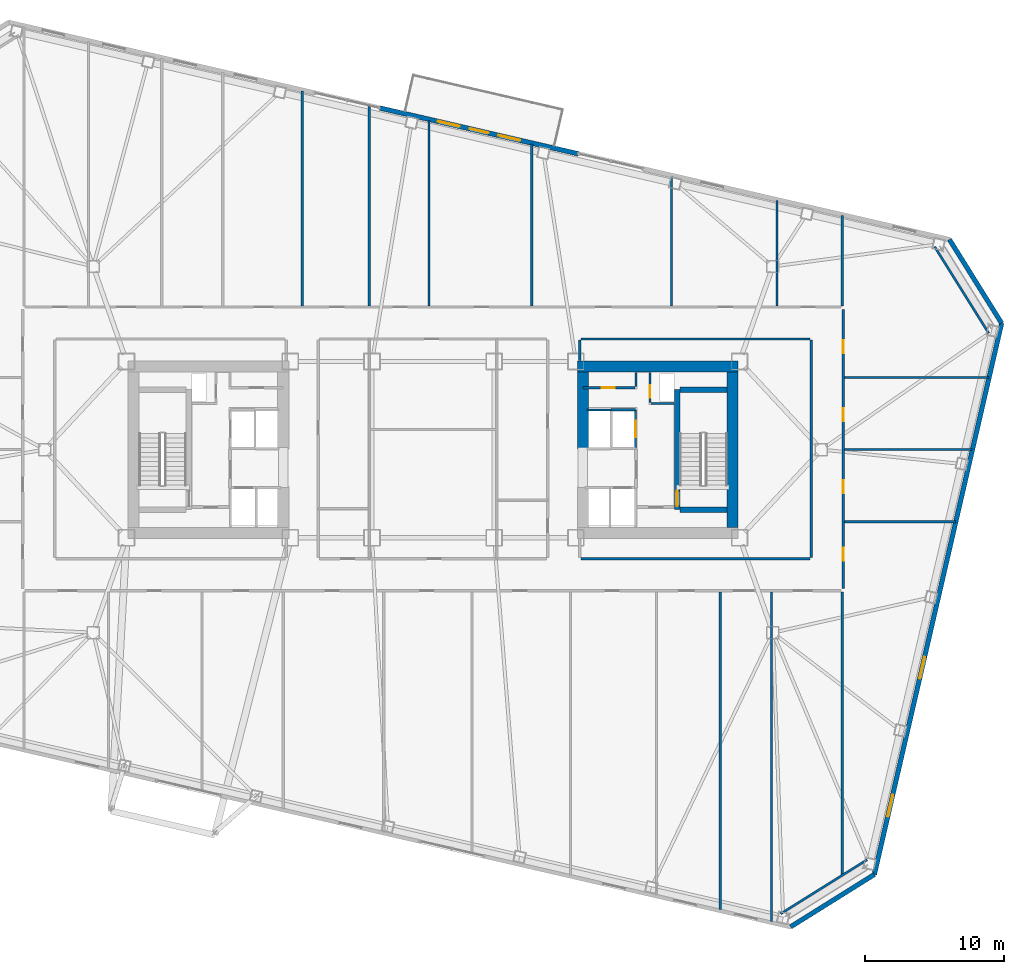
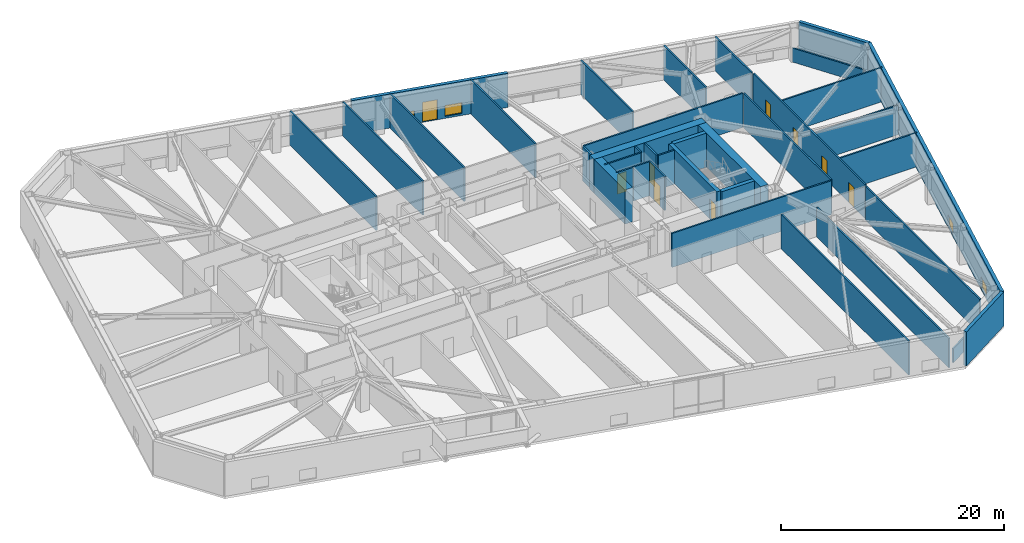
# One storey, part 13 of 20: 37 walls, 9 doors, 4 windows, 13 openings.
"""IFC4 building model written with IfcOpenShell, lengths in metres."""

from ifc_helpers import new_model, si_unit, direction, frame, frame_2d, origin, place, context, subcontext, project, spatial, rectangle, extrude, material, layer, layer_set, type_object, element, fill, save


model = new_model("IFC4")

# Units and contexts
model_context = context("Model", 3, precision=1e-05, world=origin(), true_north=direction((0.0, 1.0)))
body_context = subcontext(model_context, "Body", "Model", "MODEL_VIEW")
ifc_project = project(units=[si_unit("LENGTHUNIT", "METRE"), si_unit("AREAUNIT", "SQUARE_METRE"), si_unit("VOLUMEUNIT", "CUBIC_METRE"), si_unit("PLANEANGLEUNIT", "RADIAN"), si_unit("MASSUNIT", "GRAM", prefix="KILO")], contexts=[model_context])

# Site, building, storey
site_placement = place(None, origin())
site = spatial("IfcSite", under=ifc_project, at=site_placement, CompositionType="ELEMENT")
building_placement = place(site_placement, origin())
building = spatial("IfcBuilding", under=site, at=building_placement, Name="Tavrogorsk Clinical Tower", CompositionType="ELEMENT")
storey_placement = place(building_placement, frame((0.0, 0.0, 39.39990234375)))
storey = spatial("IfcBuildingStorey", under=building, at=storey_placement, Name="L07", CompositionType="ELEMENT", Elevation=39.39990234375)

# Wall, opening, door
ifc_material_1 = material(Name="Lightweight concrete blockwork B15", Category="masonry")
ifc_layer_1 = layer(ifc_material_1, 0.159912109375)
ifc_layer_set_1 = layer_set([ifc_layer_1], Name="Lightweight concrete blockwork B15")
wall_type_1 = type_object("IfcWallType", Name="PartitionWall_160", PredefinedType="PARTITIONING", material=ifc_layer_set_1)
wall_1_placement = place(storey_placement, frame((10.800048828125, 4.4599609375, 0.0), z_axis=(0.0, 0.0, 1.0), x_axis=(1.0, 0.0, 0.0)))
wall_1 = element("IfcWall", 1, at=wall_1_placement, inside=storey, type_object=wall_type_1, Name="L07 Core East Pneumatic Dispatch South Wall", PredefinedType="PARTITIONING", context=body_context, shape_type="SweptSolid", body=[
    extrude(rectangle(XDim=3.7548828125, YDim=0.159912109375, at=frame_2d((1.87744140625, 0.0))), origin(), (0.0, 0.0, 1.0), 3.739990234375),
])
opening_1_placement = place(wall_1_placement, frame((1.35009765625, 0.0, 0.0)))
opening_1 = element("IfcOpeningElement", 2, at=opening_1_placement, cuts=wall_1, Name="Opening ID-02", PredefinedType="OPENING", context=body_context, shape_type="SweptSolid", body=[
    extrude(rectangle(XDim=0.949951171875, YDim=2.199951171875, at=frame_2d((0.47509765625, 1.10009765625))), frame((0.0, 0.08984375, 0.0), z_axis=(0.0, -1.0, 0.0), x_axis=(1.0, 0.0, 0.0)), (0.0, 0.0, 1.0), 0.179931640625),
])
ifc_material_2 = material(Name="Laminated timber leaf on aluminium frame", Category="wood")
door_type_1 = type_object("IfcDoorType", Name="InteriorDoor_ID02_950", OperationType="NOTDEFINED", PredefinedType="DOOR", material=ifc_material_2)
door_1_placement = place(opening_1_placement, origin())
door_1 = element("IfcDoor", 3, at=door_1_placement, inside=storey, type_object=door_type_1, Name="L07 Core East Pneumatic Dispatch Door", OperationType="SINGLE_SWING_LEFT", OverallHeight=2.199951171875, OverallWidth=0.949951171875, PredefinedType="DOOR", context=body_context, shape_type="SweptSolid", body=[
    extrude(rectangle(XDim=0.949951171875, YDim=2.199951171875, at=frame_2d((0.47509765625, 1.10009765625))), frame((0.0, 0.02490234375, 0.0), z_axis=(0.0, -1.0, 0.0), x_axis=(1.0, 0.0, 0.0)), (0.0, 0.0, 1.0), 0.050048828125),
])
fill(opening_1, door_1)

# Walls
wall_2_placement = place(storey_placement, frame((14.639892578125, 4.544921875, 0.0), z_axis=(0.0, 0.0, 1.0), x_axis=(0.0, 1.0, 0.0)))
element("IfcWall", 4, at=wall_2_placement, inside=storey, type_object=wall_type_1, Name="L07 Core East Pneumatic Dispatch East Wall", PredefinedType="PARTITIONING", context=body_context, shape_type="SweptSolid", body=[
    extrude(rectangle(XDim=1.01513671875, YDim=0.159912109375, at=frame_2d((0.507568359375, 0.0))), origin(), (0.0, 0.0, 1.0), 3.739990234375),
])
for number, where, z_axis, x_axis, name in (
    (5, (25.0595703125, -33.46826171875, 0.0), (0.0, 0.0, 1.0), (0.848043064089, 0.529927317139, 0.0), "L07 Corner Exoskeleton Brace Furring Wall 1"),
    (6, (40.059814453125, 8.389404296875, 0.0), (0.0, 0.0, 1.0), (-0.529927317139, 0.848043064089, 0.0), "L07 Corner Exoskeleton Brace Furring Wall 2"),
):
    element("IfcWall", number, at=place(storey_placement, frame(where, z_axis=z_axis, x_axis=x_axis)), inside=storey, type_object=wall_type_1, Name=name, PredefinedType="PARTITIONING", context=body_context, shape_type="SweptSolid", body=[
        extrude(rectangle(XDim=7.353759765625, YDim=0.159912109375, at=frame_2d((3.6767578125, 0.0))), origin(), (0.0, 0.0, 1.0), 1.53515625),
    ])

# Wall, openings, doors
wall_3_placement = place(storey_placement, frame((29.580078125, 10.114990234375, 0.0), z_axis=(0.0, 0.0, 1.0), x_axis=(0.0, -1.0, 0.0)))
wall_3 = element("IfcWall", 7, at=wall_3_placement, inside=storey, type_object=wall_type_1, Name="L07 Corridor Partition 03", PredefinedType="PARTITIONING", context=body_context, shape_type="SweptSolid", body=[
    extrude(rectangle(XDim=20.1298828125, YDim=0.159912109375, at=frame_2d((10.06494140625, 0.0))), origin(), (0.0, 0.0, 1.0), 3.739990234375),
])
opening_2_placement = place(wall_3_placement, frame((17.180908203125, 0.0, 0.0)))
opening_2 = element("IfcOpeningElement", 8, at=opening_2_placement, cuts=wall_3, Name="Opening ID-02", PredefinedType="OPENING", context=body_context, shape_type="SweptSolid", body=[
    extrude(rectangle(XDim=0.949951171875, YDim=2.199951171875, at=frame_2d((0.47509765625, 1.10009765625))), frame((0.0, 0.08984375, 0.0), z_axis=(0.0, -1.0, 0.0), x_axis=(1.0, 0.0, 0.0)), (0.0, 0.0, 1.0), 0.179931640625),
])
opening_3_placement = place(wall_3_placement, frame((12.324951171875, 0.0, 0.0)))
opening_3 = element("IfcOpeningElement", 9, at=opening_3_placement, cuts=wall_3, Name="Opening ID-02", PredefinedType="OPENING", context=body_context, shape_type="SweptSolid", body=[
    extrude(rectangle(XDim=0.949951171875, YDim=2.199951171875, at=frame_2d((0.47509765625, 1.10009765625))), frame((0.0, 0.08984375, 0.0), z_axis=(0.0, -1.0, 0.0), x_axis=(1.0, 0.0, 0.0)), (0.0, 0.0, 1.0), 0.179931640625),
])
opening_4_placement = place(wall_3_placement, frame((7.125, 0.0, 0.0)))
opening_4 = element("IfcOpeningElement", 10, at=opening_4_placement, cuts=wall_3, Name="Opening ID-02", PredefinedType="OPENING", context=body_context, shape_type="SweptSolid", body=[
    extrude(rectangle(XDim=0.949951171875, YDim=2.199951171875, at=frame_2d((0.47509765625, 1.10009765625))), frame((0.0, 0.08984375, 0.0), z_axis=(0.0, -1.0, 0.0), x_axis=(1.0, 0.0, 0.0)), (0.0, 0.0, 1.0), 0.179931640625),
])
opening_5_placement = place(wall_3_placement, frame((2.218994140625, 0.0, 0.0)))
opening_5 = element("IfcOpeningElement", 11, at=opening_5_placement, cuts=wall_3, Name="Opening ID-02", PredefinedType="OPENING", context=body_context, shape_type="SweptSolid", body=[
    extrude(rectangle(XDim=0.949951171875, YDim=2.199951171875, at=frame_2d((0.47509765625, 1.10009765625))), frame((0.0, 0.08984375, 0.0), z_axis=(0.0, -1.0, 0.0), x_axis=(1.0, 0.0, 0.0)), (0.0, 0.0, 1.0), 0.179931640625),
])
door_2_placement = place(opening_2_placement, origin())
door_2 = element("IfcDoor", 12, at=door_2_placement, inside=storey, type_object=door_type_1, Name="L07 E Senior Clinician Suite 1 Door", OperationType="SINGLE_SWING_LEFT", OverallHeight=2.199951171875, OverallWidth=0.949951171875, PredefinedType="DOOR", context=body_context, shape_type="SweptSolid", body=[
    extrude(rectangle(XDim=0.949951171875, YDim=2.199951171875, at=frame_2d((0.47509765625, 1.10009765625))), frame((0.0, 0.02490234375, 0.0), z_axis=(0.0, -1.0, 0.0), x_axis=(1.0, 0.0, 0.0)), (0.0, 0.0, 1.0), 0.050048828125),
])
fill(opening_2, door_2)
door_3_placement = place(opening_3_placement, origin())
door_3 = element("IfcDoor", 13, at=door_3_placement, inside=storey, type_object=door_type_1, Name="L07 E Multidisciplinary Seminar Suite 2 Door", OperationType="SINGLE_SWING_RIGHT", OverallHeight=2.199951171875, OverallWidth=0.949951171875, PredefinedType="DOOR", context=body_context, shape_type="SweptSolid", body=[
    extrude(rectangle(XDim=0.949951171875, YDim=2.199951171875, at=frame_2d((0.47509765625, 1.10009765625))), frame((0.0, 0.02490234375, 0.0), z_axis=(0.0, -1.0, 0.0), x_axis=(1.0, 0.0, 0.0)), (0.0, 0.0, 1.0), 0.050048828125),
])
fill(opening_3, door_3)
door_4_placement = place(opening_4_placement, origin())
door_4 = element("IfcDoor", 14, at=door_4_placement, inside=storey, type_object=door_type_1, Name="L07 E Specialist Consultation Room 3 Door", OperationType="SINGLE_SWING_LEFT", OverallHeight=2.199951171875, OverallWidth=0.949951171875, PredefinedType="DOOR", context=body_context, shape_type="SweptSolid", body=[
    extrude(rectangle(XDim=0.949951171875, YDim=2.199951171875, at=frame_2d((0.47509765625, 1.10009765625))), frame((0.0, 0.02490234375, 0.0), z_axis=(0.0, -1.0, 0.0), x_axis=(1.0, 0.0, 0.0)), (0.0, 0.0, 1.0), 0.050048828125),
])
fill(opening_4, door_4)
door_5_placement = place(opening_5_placement, origin())
door_5 = element("IfcDoor", 15, at=door_5_placement, inside=storey, type_object=door_type_1, Name="L07 E Clinical Fellows' Study 4 Door", OperationType="SINGLE_SWING_RIGHT", OverallHeight=2.199951171875, OverallWidth=0.949951171875, PredefinedType="DOOR", context=body_context, shape_type="SweptSolid", body=[
    extrude(rectangle(XDim=0.949951171875, YDim=2.199951171875, at=frame_2d((0.47509765625, 1.10009765625))), frame((0.0, 0.02490234375, 0.0), z_axis=(0.0, -1.0, 0.0), x_axis=(1.0, 0.0, 0.0)), (0.0, 0.0, 1.0), 0.050048828125),
])
fill(opening_5, door_5)

# Walls
wall_4_placement = place(storey_placement, frame((27.18505859375, 7.969970703125, 0.0), z_axis=(0.0, 0.0, 1.0), x_axis=(-1.0, 0.0, 0.0)))
element("IfcWall", 16, at=wall_4_placement, inside=storey, type_object=wall_type_1, Name="L07 Corridor Partition 05", PredefinedType="PARTITIONING", context=body_context, shape_type="SweptSolid", body=[
    extrude(rectangle(XDim=16.52001953125, YDim=0.159912109375, at=frame_2d((8.260009765625, 0.0))), origin(), (0.0, 0.0, 1.0), 3.739990234375),
])
wall_5_placement = place(storey_placement, frame((10.580078125, 7.885009765625, 0.0), z_axis=(0.0, 0.0, 1.0), x_axis=(0.0, -1.0, 0.0)))
element("IfcWall", 17, at=wall_5_placement, inside=storey, type_object=wall_type_1, Name="L07 Corridor Partition 06", PredefinedType="PARTITIONING", context=body_context, shape_type="SweptSolid", body=[
    extrude(rectangle(XDim=1.465087890625, YDim=0.159912109375, at=frame_2d((0.732421875, 0.0))), origin(), (0.0, 0.0, 1.0), 3.739990234375),
])
wall_6_placement = place(storey_placement, frame((10.6650390625, -7.8701171875, 0.0), z_axis=(0.0, 0.0, 1.0), x_axis=(1.0, 0.0, 0.0)))
element("IfcWall", 18, at=wall_6_placement, inside=storey, type_object=wall_type_1, Name="L07 Corridor Partition 08", PredefinedType="PARTITIONING", context=body_context, shape_type="SweptSolid", body=[
    extrude(rectangle(XDim=16.52001953125, YDim=0.159912109375, at=frame_2d((8.260009765625, 0.0))), origin(), (0.0, 0.0, 1.0), 3.739990234375),
])
wall_7_placement = place(storey_placement, frame((27.27001953125, -7.784912109375, 0.0), z_axis=(0.0, 0.0, 1.0), x_axis=(0.0, 1.0, 0.0)))
element("IfcWall", 19, at=wall_7_placement, inside=storey, type_object=wall_type_1, Name="L07 Corridor Partition 09", PredefinedType="PARTITIONING", context=body_context, shape_type="SweptSolid", body=[
    extrude(rectangle(XDim=15.669921875, YDim=0.159912109375, at=frame_2d((7.8349609375, 0.0))), origin(), (0.0, 0.0, 1.0), 3.739990234375),
])
wall_8_placement = place(storey_placement, frame((29.5, 10.364990234375, 0.0), z_axis=(0.0, 0.0, 1.0), x_axis=(0.0, 1.0, 0.0)))
element("IfcWall", 20, at=wall_8_placement, inside=storey, type_object=wall_type_1, Name="L07 NE Wing Closure Partition", PredefinedType="PARTITIONING", context=body_context, shape_type="SweptSolid", body=[
    extrude(rectangle(XDim=6.497314453125, YDim=0.159912109375, at=frame_2d((3.24853515625, 0.0))), origin(), (0.0, 0.0, 1.0), 3.739990234375),
])
wall_9_placement = place(storey_placement, frame((29.5, -30.702880859375, 0.0), z_axis=(0.0, 0.0, 1.0), x_axis=(0.0, 1.0, 0.0)))
element("IfcWall", 21, at=wall_9_placement, inside=storey, type_object=wall_type_1, Name="L07 SE Wing Closure Partition", PredefinedType="PARTITIONING", context=body_context, shape_type="SweptSolid", body=[
    extrude(rectangle(XDim=20.43798828125, YDim=0.159912109375, at=frame_2d((10.218994140625, 0.0))), origin(), (0.0, 0.0, 1.0), 3.739990234375),
])
wall_10_placement = place(storey_placement, frame((-4.60009765625, 10.364990234375, 0.0), z_axis=(0.0, 0.0, 1.0), x_axis=(0.0, 1.0, 0.0)))
element("IfcWall", 22, at=wall_10_placement, inside=storey, type_object=wall_type_1, Name="L07 North Room Partition 3", PredefinedType="PARTITIONING", context=body_context, shape_type="SweptSolid", body=[
    extrude(rectangle(XDim=14.3701171875, YDim=0.159912109375, at=frame_2d((7.18505859375, 0.0))), origin(), (0.0, 0.0, 1.0), 3.739990234375),
])
wall_11_placement = place(storey_placement, frame((-0.2900390625, 10.364990234375, 0.0), z_axis=(0.0, 0.0, 1.0), x_axis=(0.0, 1.0, 0.0)))
element("IfcWall", 23, at=wall_11_placement, inside=storey, type_object=wall_type_1, Name="L07 North Room Partition 4", PredefinedType="PARTITIONING", context=body_context, shape_type="SweptSolid", body=[
    extrude(rectangle(XDim=13.375, YDim=0.159912109375, at=frame_2d((6.6875, 0.0))), origin(), (0.0, 0.0, 1.0), 3.739990234375),
])
wall_12_placement = place(storey_placement, frame((7.110107421875, 10.364990234375, 0.0), z_axis=(0.0, 0.0, 1.0), x_axis=(0.0, 1.0, 0.0)))
element("IfcWall", 24, at=wall_12_placement, inside=storey, type_object=wall_type_1, Name="L07 North Room Partition 5", PredefinedType="PARTITIONING", context=body_context, shape_type="SweptSolid", body=[
    extrude(rectangle(XDim=11.66650390625, YDim=0.159912109375, at=frame_2d((5.833251953125, 0.0))), origin(), (0.0, 0.0, 1.0), 3.739990234375),
])
wall_13_placement = place(storey_placement, frame((17.199951171875, 10.364990234375, 0.0), z_axis=(0.0, 0.0, 1.0), x_axis=(0.0, 1.0, 0.0)))
element("IfcWall", 25, at=wall_13_placement, inside=storey, type_object=wall_type_1, Name="L07 North Room Partition 6", PredefinedType="PARTITIONING", context=body_context, shape_type="SweptSolid", body=[
    extrude(rectangle(XDim=9.337158203125, YDim=0.159912109375, at=frame_2d((4.66845703125, 0.0))), origin(), (0.0, 0.0, 1.0), 3.739990234375),
])
wall_14_placement = place(storey_placement, frame((24.800048828125, 10.364990234375, 0.0), z_axis=(0.0, 0.0, 1.0), x_axis=(0.0, 1.0, 0.0)))
element("IfcWall", 26, at=wall_14_placement, inside=storey, type_object=wall_type_1, Name="L07 North Room Partition 7", PredefinedType="PARTITIONING", context=body_context, shape_type="SweptSolid", body=[
    extrude(rectangle(XDim=7.58251953125, YDim=0.159912109375, at=frame_2d((3.791259765625, 0.0))), origin(), (0.0, 0.0, 1.0), 3.739990234375),
])
wall_15_placement = place(storey_placement, frame((-9.429931640625, 10.364990234375, 0.0), z_axis=(0.0, 0.0, 1.0), x_axis=(0.0, 1.0, 0.0)))
element("IfcWall", 27, at=wall_15_placement, inside=storey, type_object=wall_type_1, Name="L07 North Sub-Partition 3", PredefinedType="PARTITIONING", context=body_context, shape_type="SweptSolid", body=[
    extrude(rectangle(XDim=15.485107421875, YDim=0.159912109375, at=frame_2d((7.74267578125, 0.0))), origin(), (0.0, 0.0, 1.0), 3.739990234375),
])
wall_16_placement = place(storey_placement, frame((24.39990234375, -34.014404296875, 0.0), z_axis=(0.0, 0.0, 1.0), x_axis=(0.0, 1.0, 0.0)))
element("IfcWall", 28, at=wall_16_placement, inside=storey, type_object=wall_type_1, Name="L07 South Room Partition 5", PredefinedType="PARTITIONING", context=body_context, shape_type="SweptSolid", body=[
    extrude(rectangle(XDim=23.74951171875, YDim=0.159912109375, at=frame_2d((11.874755859375, 0.0))), origin(), (0.0, 0.0, 1.0), 3.235107421875),
])
wall_17_placement = place(storey_placement, frame((20.7099609375, -33.162353515625, 0.0), z_axis=(0.0, 0.0, 1.0), x_axis=(0.0, 1.0, 0.0)))
element("IfcWall", 29, at=wall_17_placement, inside=storey, type_object=wall_type_1, Name="L07 South Sub-Partition 5", PredefinedType="PARTITIONING", context=body_context, shape_type="SweptSolid", body=[
    extrude(rectangle(XDim=22.8974609375, YDim=0.159912109375, at=frame_2d((11.44873046875, 0.0))), origin(), (0.0, 0.0, 1.0), 3.739990234375),
])
wall_18_placement = place(storey_placement, frame((29.6650390625, -5.199951171875, 0.0), z_axis=(0.0, 0.0, 1.0), x_axis=(1.0, 0.0, 0.0)))
element("IfcWall", 30, at=wall_18_placement, inside=storey, type_object=wall_type_1, Name="L07 E Wing Divider 1", PredefinedType="PARTITIONING", context=body_context, shape_type="SweptSolid", body=[
    extrude(rectangle(XDim=8.007080078125, YDim=0.159912109375, at=frame_2d((4.00341796875, 0.0))), origin(), (0.0, 0.0, 1.0), 3.739990234375),
])
wall_19_placement = place(storey_placement, frame((29.6650390625, 0.0, 0.0), z_axis=(0.0, 0.0, 1.0), x_axis=(1.0, 0.0, 0.0)))
element("IfcWall", 31, at=wall_19_placement, inside=storey, type_object=wall_type_1, Name="L07 E Wing Divider 2", PredefinedType="PARTITIONING", context=body_context, shape_type="SweptSolid", body=[
    extrude(rectangle(XDim=9.207763671875, YDim=0.159912109375, at=frame_2d((4.60400390625, 0.0))), origin(), (0.0, 0.0, 1.0), 3.235107421875),
])
wall_20_placement = place(storey_placement, frame((29.6650390625, 5.199951171875, 0.0), z_axis=(0.0, 0.0, 1.0), x_axis=(1.0, 0.0, 0.0)))
element("IfcWall", 32, at=wall_20_placement, inside=storey, type_object=wall_type_1, Name="L07 E Wing Divider 3", PredefinedType="PARTITIONING", context=body_context, shape_type="SweptSolid", body=[
    extrude(rectangle(XDim=10.408203125, YDim=0.159912109375, at=frame_2d((5.2041015625, 0.0))), origin(), (0.0, 0.0, 1.0), 3.739990234375),
])

# Wall, openings, windows, door
ifc_material_3 = material(Name="Precast concrete B45 with limestone cladding", Category="masonry")
ifc_layer_2 = layer(ifc_material_3, 0.340087890625)
ifc_layer_set_2 = layer_set([ifc_layer_2], Name="Precast concrete B45 with limestone cladding")
wall_type_2 = type_object("IfcWallType", Name="PrecastLimestoneWall_340", PredefinedType="STANDARD", material=ifc_layer_set_2)
wall_21_placement = place(storey_placement, frame((10.480712890625, 21.3251953125, 0.0), z_axis=(0.0, 0.0, 1.0), x_axis=(-0.974369353393, 0.2249541357, 0.0)))
wall_21 = element("IfcWall", 33, at=wall_21_placement, inside=storey, type_object=wall_type_2, Name="L07 N Limestone Facade Wall 2", PredefinedType="STANDARD", context=body_context, shape_type="SweptSolid", body=[
    extrude(rectangle(XDim=14.697021484375, YDim=0.340087890625, at=frame_2d((7.3486328125, 0.0))), origin(), (0.0, 0.0, 1.0), 3.739990234375),
])
opening_6_placement = place(wall_21_placement, frame((6.648681640625, 0.0, 0.0)))
opening_6 = element("IfcOpeningElement", 34, at=opening_6_placement, cuts=wall_21, Name="Opening ED-03", PredefinedType="OPENING", context=body_context, shape_type="SweptSolid", body=[
    extrude(rectangle(XDim=1.39990234375, YDim=2.199951171875, at=frame_2d((0.699951171875, 1.10009765625))), frame((0.0, 0.179931640625, 0.0), z_axis=(0.0, -1.0, 0.0), x_axis=(1.0, 0.0, 0.0)), (0.0, 0.0, 1.0), 0.360107421875),
])
opening_7_placement = place(wall_21_placement, frame((8.790771484375, 0.0, 0.219970703125)))
opening_7 = element("IfcOpeningElement", 35, at=opening_7_placement, cuts=wall_21, Name="Opening WN-09", PredefinedType="OPENING", context=body_context, shape_type="SweptSolid", body=[
    extrude(rectangle(XDim=1.60009765625, YDim=1.199951171875, at=frame_2d((0.800048828125, 0.60009765625))), frame((0.0, 0.179931640625, 0.0), z_axis=(0.0, -1.0, 0.0), x_axis=(1.0, 0.0, 0.0)), (0.0, 0.0, 1.0), 0.360107421875),
])
opening_8_placement = place(wall_21_placement, frame((4.306396484375, 0.0, 0.219970703125)))
opening_8 = element("IfcOpeningElement", 36, at=opening_8_placement, cuts=wall_21, Name="Opening WN-09", PredefinedType="OPENING", context=body_context, shape_type="SweptSolid", body=[
    extrude(rectangle(XDim=1.60009765625, YDim=1.199951171875, at=frame_2d((0.800048828125, 0.60009765625))), frame((0.0, 0.179931640625, 0.0), z_axis=(0.0, -1.0, 0.0), x_axis=(1.0, 0.0, 0.0)), (0.0, 0.0, 1.0), 0.360107421875),
])
ifc_material_4 = material(Name="Thermally broken aluminium frame and triple IGU", Category="aluminium")
window_type = type_object("IfcWindowType", Name="LowHeadTransWin_1600x1200", PartitioningType="DOUBLE_PANEL_VERTICAL", PredefinedType="WINDOW", material=ifc_material_4)
window_1_placement = place(opening_7_placement, origin())
window_1 = element("IfcWindow", 37, at=window_1_placement, inside=storey, type_object=window_type, Name="L07 N Chicago Window 05", OverallHeight=1.199951171875, OverallWidth=1.60009765625, PartitioningType="SINGLE_PANEL", PredefinedType="WINDOW", context=body_context, shape_type="SweptSolid", body=[
    extrude(rectangle(XDim=1.60009765625, YDim=1.199951171875, at=frame_2d((0.800048828125, 0.60009765625))), frame((0.0, 0.030029296875, 0.0), z_axis=(0.0, -1.0, 0.0), x_axis=(1.0, 0.0, 0.0)), (0.0, 0.0, 1.0), 0.06005859375),
])
fill(opening_7, window_1)
window_2_placement = place(opening_8_placement, origin())
window_2 = element("IfcWindow", 38, at=window_2_placement, inside=storey, type_object=window_type, Name="L07 N Chicago Window 06", OverallHeight=1.199951171875, OverallWidth=1.60009765625, PartitioningType="SINGLE_PANEL", PredefinedType="WINDOW", context=body_context, shape_type="SweptSolid", body=[
    extrude(rectangle(XDim=1.60009765625, YDim=1.199951171875, at=frame_2d((0.800048828125, 0.60009765625))), frame((0.0, 0.030029296875, 0.0), z_axis=(0.0, -1.0, 0.0), x_axis=(1.0, 0.0, 0.0)), (0.0, 0.0, 1.0), 0.06005859375),
])
fill(opening_8, window_2)
ifc_material_5 = material(Name="Thermally broken aluminium and laminated safety glass", Category="aluminium")
door_type_2 = type_object("IfcDoorType", Name="TerraceGlassDoor_ED03_1400", OperationType="DOUBLE_SWING_LEFT", PredefinedType="DOOR", material=ifc_material_5)
door_6_placement = place(opening_6_placement, origin())
door_6 = element("IfcDoor", 39, at=door_6_placement, inside=storey, type_object=door_type_2, Name="L07 Spiralling Recuperation Terrace Door ED-03", OperationType="DOUBLE_SWING_LEFT", OverallHeight=2.199951171875, OverallWidth=1.39990234375, PredefinedType="DOOR", context=body_context, shape_type="SweptSolid", body=[
    extrude(rectangle(XDim=1.39990234375, YDim=2.199951171875, at=frame_2d((0.699951171875, 1.10009765625))), frame((0.0, 0.02490234375, 0.0), z_axis=(0.0, -1.0, 0.0), x_axis=(1.0, 0.0, 0.0)), (0.0, 0.0, 1.0), 0.050048828125),
])
fill(opening_6, door_6)

# Wall, openings, windows
wall_22_placement = place(storey_placement, frame((31.820068359375, -30.636962890625, 0.0), z_axis=(0.0, 0.0, 1.0), x_axis=(0.224949969076, 0.974370315338, 0.0)))
wall_22 = element("IfcWall", 40, at=wall_22_placement, inside=storey, type_object=wall_type_2, Name="L07 E Pleated Limestone Wing Wall", PredefinedType="STANDARD", context=body_context, shape_type="SweptSolid", body=[
    extrude(rectangle(XDim=40.800048828125, YDim=0.340087890625, at=frame_2d((20.39990234375, 0.0))), origin(), (0.0, 0.0, 1.0), 3.739990234375),
])
opening_9_placement = place(wall_22_placement, frame((4.300048828125, 0.0, 0.219970703125)))
opening_9 = element("IfcOpeningElement", 41, at=opening_9_placement, cuts=wall_22, Name="Opening WN-09", PredefinedType="OPENING", context=body_context, shape_type="SweptSolid", body=[
    extrude(rectangle(XDim=1.60009765625, YDim=1.199951171875, at=frame_2d((0.800048828125, 0.60009765625))), frame((0.0, 0.179931640625, 0.0), z_axis=(0.0, -1.0, 0.0), x_axis=(1.0, 0.0, 0.0)), (0.0, 0.0, 1.0), 0.360107421875),
])
opening_10_placement = place(wall_22_placement, frame((14.5, 0.0, 0.219970703125)))
opening_10 = element("IfcOpeningElement", 42, at=opening_10_placement, cuts=wall_22, Name="Opening WN-09", PredefinedType="OPENING", context=body_context, shape_type="SweptSolid", body=[
    extrude(rectangle(XDim=1.60009765625, YDim=1.199951171875, at=frame_2d((0.800048828125, 0.60009765625))), frame((0.0, 0.179931640625, 0.0), z_axis=(0.0, -1.0, 0.0), x_axis=(1.0, 0.0, 0.0)), (0.0, 0.0, 1.0), 0.360107421875),
])
window_3_placement = place(opening_9_placement, origin())
window_3 = element("IfcWindow", 43, at=window_3_placement, inside=storey, type_object=window_type, Name="L07 E Pleat Slot Window 1", OverallHeight=1.199951171875, OverallWidth=1.60009765625, PartitioningType="SINGLE_PANEL", PredefinedType="WINDOW", context=body_context, shape_type="SweptSolid", body=[
    extrude(rectangle(XDim=1.60009765625, YDim=1.199951171875, at=frame_2d((0.800048828125, 0.60009765625))), frame((0.0, 0.030029296875, 0.0), z_axis=(0.0, -1.0, 0.0), x_axis=(1.0, 0.0, 0.0)), (0.0, 0.0, 1.0), 0.06005859375),
])
fill(opening_9, window_3)
window_4_placement = place(opening_10_placement, origin())
window_4 = element("IfcWindow", 44, at=window_4_placement, inside=storey, type_object=window_type, Name="L07 E Pleat Slot Window 2", OverallHeight=1.199951171875, OverallWidth=1.60009765625, PartitioningType="SINGLE_PANEL", PredefinedType="WINDOW", context=body_context, shape_type="SweptSolid", body=[
    extrude(rectangle(XDim=1.60009765625, YDim=1.199951171875, at=frame_2d((0.800048828125, 0.60009765625))), frame((0.0, 0.030029296875, 0.0), z_axis=(0.0, -1.0, 0.0), x_axis=(1.0, 0.0, 0.0)), (0.0, 0.0, 1.0), 0.06005859375),
])
fill(opening_10, window_4)

# Walls
for number, where, z_axis, x_axis, name in (
    (45, (25.78759765625, -34.406494140625, 0.0), (0.0, 0.0, 1.0), (0.848046504656, 0.529921811158, 0.0), "L07 Chamfered Corner Wall 1"),
    (46, (40.998046875, 9.117431640625, 0.0), (0.0, 0.0, 1.0), (-0.529921811158, 0.848046504656, 0.0), "L07 Chamfered Corner Wall 2"),
):
    element("IfcWall", number, at=place(storey_placement, frame(where, z_axis=z_axis, x_axis=x_axis)), inside=storey, type_object=wall_type_2, Name=name, PredefinedType="STANDARD", context=body_context, shape_type="SweptSolid", body=[
        extrude(rectangle(XDim=7.11328125, YDim=0.340087890625, at=frame_2d((3.556640625, 0.0))), origin(), (0.0, 0.0, 1.0), 3.739990234375),
    ])

# Wall, opening, door
ifc_material_6 = material(Name="Lightweight concrete blockwork B25", Category="masonry")
ifc_layer_3 = layer(ifc_material_6, 0.159912109375)
ifc_layer_set_3 = layer_set([ifc_layer_3], Name="Lightweight concrete blockwork B25")
wall_type_3 = type_object("IfcWallType", Name="ShaftWall_160", PredefinedType="PARTITIONING", material=ifc_layer_set_3)
wall_23_placement = place(storey_placement, frame((14.60009765625, 0.1201171875, 0.0), z_axis=(0.0, 0.0, 1.0), x_axis=(0.0, 1.0, 0.0)))
wall_23 = element("IfcWall", 47, at=wall_23_placement, inside=storey, type_object=wall_type_3, Name="L07 FFL-E Firefighting Lift Front Wall", PredefinedType="PARTITIONING", context=body_context, shape_type="SweptSolid", body=[
    extrude(rectangle(XDim=2.739990234375, YDim=0.159912109375, at=frame_2d((1.3701171875, 0.0))), origin(), (0.0, 0.0, 1.0), 3.739990234375),
])
opening_11_placement = place(wall_23_placement, frame((0.77001953125, 0.0, 0.0)))
opening_11 = element("IfcOpeningElement", 48, at=opening_11_placement, cuts=wall_23, Name="Opening LD", PredefinedType="OPENING", context=body_context, shape_type="SweptSolid", body=[
    extrude(rectangle(XDim=1.199951171875, YDim=2.199951171875, at=frame_2d((0.60009765625, 1.10009765625))), frame((0.0, 0.08984375, 0.0), z_axis=(0.0, -1.0, 0.0), x_axis=(1.0, 0.0, 0.0)), (0.0, 0.0, 1.0), 0.179931640625),
])
ifc_material_7 = material(Name="Brushed stainless steel AISI 304 sliding doors", Category="steel")
door_type_3 = type_object("IfcDoorType", Name="LiftLandingDoor_LD_1200", OperationType="SLIDING_TO_LEFT", PredefinedType="DOOR", material=ifc_material_7)
door_7_placement = place(opening_11_placement, origin())
door_7 = element("IfcDoor", 49, at=door_7_placement, inside=storey, type_object=door_type_3, Name="L07 FFL-E Sliding Lift Landing Door", OperationType="SLIDING_TO_LEFT", OverallHeight=2.199951171875, OverallWidth=1.199951171875, PredefinedType="DOOR", context=body_context, shape_type="SweptSolid", body=[
    extrude(rectangle(XDim=1.199951171875, YDim=2.199951171875, at=frame_2d((0.60009765625, 1.10009765625))), frame((0.0, 0.02490234375, 0.0), z_axis=(0.0, -1.0, 0.0), x_axis=(1.0, 0.0, 0.0)), (0.0, 0.0, 1.0), 0.050048828125),
])
fill(opening_11, door_7)

# Walls
wall_24_placement = place(storey_placement, frame((12.840087890625, 2.8798828125, 0.0), z_axis=(0.0, 0.0, 1.0), x_axis=(1.0, 0.0, 0.0)))
element("IfcWall", 50, at=wall_24_placement, inside=storey, type_object=wall_type_3, Name="L07 FFL-E Shaft North Wall", PredefinedType="PARTITIONING", context=body_context, shape_type="SweptSolid", body=[
    extrude(rectangle(XDim=1.760009765625, YDim=0.159912109375, at=frame_2d((0.8798828125, 0.0))), origin(), (0.0, 0.0, 1.0), 3.739990234375),
])
wall_25_placement = place(storey_placement, frame((11.10009765625, 2.860107421875, 0.0), z_axis=(0.0, 0.0, 1.0), x_axis=(1.0, 0.0, 0.0)))
element("IfcWall", 51, at=wall_25_placement, inside=storey, type_object=wall_type_3, Name="L07 LP-H2 High-Zone Lift Rear Wall", PredefinedType="PARTITIONING", context=body_context, shape_type="SweptSolid", body=[
    extrude(rectangle(XDim=1.719970703125, YDim=0.159912109375, at=frame_2d((0.85986328125, 0.0))), origin(), (0.0, 0.0, 1.0), 3.739990234375),
])

# Wall, opening, door
wall_26_placement = place(storey_placement, frame((15.639892578125, 3.405029296875, 0.0), z_axis=(0.0, 0.0, 1.0), x_axis=(0.0, 1.0, 0.0)))
wall_26 = element("IfcWall", 52, at=wall_26_placement, inside=storey, type_object=wall_type_3, Name="L07 Core East Riser West Wall", PredefinedType="PARTITIONING", context=body_context, shape_type="SweptSolid", body=[
    extrude(rectangle(XDim=2.155029296875, YDim=0.159912109375, at=frame_2d((1.07763671875, 0.0))), origin(), (0.0, 0.0, 1.0), 3.739990234375),
])
opening_12_placement = place(wall_26_placement, frame((0.35009765625, 0.0, 0.0)))
opening_12 = element("IfcOpeningElement", 53, at=opening_12_placement, cuts=wall_26, Name="Opening FD-02", PredefinedType="OPENING", context=body_context, shape_type="SweptSolid", body=[
    extrude(rectangle(XDim=0.89990234375, YDim=2.199951171875, at=frame_2d((0.449951171875, 1.10009765625))), frame((0.0, 0.08984375, 0.0), z_axis=(0.0, -1.0, 0.0), x_axis=(1.0, 0.0, 0.0)), (0.0, 0.0, 1.0), 0.179931640625),
])
ifc_material_8 = material(Name="Galvanised steel fire-rated door assembly", Category="steel")
door_type_4 = type_object("IfcDoorType", Name="FireDoor_FD02_900", OperationType="NOTDEFINED", PredefinedType="DOOR", material=ifc_material_8)
door_8_placement = place(opening_12_placement, origin())
door_8 = element("IfcDoor", 54, at=door_8_placement, inside=storey, type_object=door_type_4, Name="L07 Core East Electrical Riser Access Door", OperationType="SINGLE_SWING_LEFT", OverallHeight=2.199951171875, OverallWidth=0.89990234375, PredefinedType="DOOR", context=body_context, shape_type="SweptSolid", body=[
    extrude(rectangle(XDim=0.89990234375, YDim=2.199951171875, at=frame_2d((0.449951171875, 1.10009765625))), frame((0.0, 0.02490234375, 0.0), z_axis=(0.0, -1.0, 0.0), x_axis=(1.0, 0.0, 0.0)), (0.0, 0.0, 1.0), 0.050048828125),
])
fill(opening_12, door_8)

# Wall
wall_27_placement = place(storey_placement, frame((15.72509765625, 3.320068359375, 0.0), z_axis=(0.0, 0.0, 1.0), x_axis=(1.0, 0.0, 0.0)))
element("IfcWall", 55, at=wall_27_placement, inside=storey, type_object=wall_type_3, Name="L07 Core East Riser South Wall", PredefinedType="PARTITIONING", context=body_context, shape_type="SweptSolid", body=[
    extrude(rectangle(XDim=1.65478515625, YDim=0.159912109375, at=frame_2d((0.827392578125, 0.0))), origin(), (0.0, 0.0, 1.0), 3.739990234375),
])

# Wall, opening, door
ifc_material_9 = material(Name="Concrete B80", Category="concrete")
ifc_layer_4 = layer(ifc_material_9, 0.39990234375)
ifc_layer_set_4 = layer_set([ifc_layer_4], Name="Concrete B80")
wall_type_4 = type_object("IfcWallType", Name="ShearWall_400", PredefinedType="SHEAR", material=ifc_layer_set_4)
wall_28_placement = place(storey_placement, frame((17.60009765625, -4.324951171875, 0.0), z_axis=(0.0, 0.0, 1.0), x_axis=(0.0, 1.0, 0.0)))
wall_28 = element("IfcWall", 56, at=wall_28_placement, inside=storey, type_object=wall_type_4, Name="L07 Core East Stair Shaft Inner Shear Wall", PredefinedType="SHEAR", context=body_context, shape_type="SweptSolid", body=[
    extrude(rectangle(XDim=8.64990234375, YDim=0.39990234375, at=frame_2d((4.324951171875, 0.0))), origin(), (0.0, 0.0, 1.0), 3.739990234375),
])
opening_13_placement = place(wall_28_placement, frame((0.25, 0.0, 0.0)))
opening_13 = element("IfcOpeningElement", 57, at=opening_13_placement, cuts=wall_28, Name="Opening SD-01", PredefinedType="OPENING", context=body_context, shape_type="SweptSolid", body=[
    extrude(rectangle(XDim=1.10009765625, YDim=2.199951171875, at=frame_2d((0.550048828125, 1.10009765625))), frame((0.0, 0.2099609375, 0.0), z_axis=(0.0, -1.0, 0.0), x_axis=(1.0, 0.0, 0.0)), (0.0, 0.0, 1.0), 0.419921875),
])
ifc_material_10 = material(Name="Galvanised steel smoke-tight fire door assembly", Category="steel")
door_type_5 = type_object("IfcDoorType", Name="StairFireDoor_SD01_1100", OperationType="NOTDEFINED", PredefinedType="DOOR", material=ifc_material_10)
door_9_placement = place(opening_13_placement, origin())
door_9 = element("IfcDoor", 58, at=door_9_placement, inside=storey, type_object=door_type_5, Name="L07 ST-E Exit Stair Door", OperationType="SINGLE_SWING_LEFT", OverallHeight=2.199951171875, OverallWidth=1.10009765625, PredefinedType="DOOR", context=body_context, shape_type="SweptSolid", body=[
    extrude(rectangle(XDim=1.10009765625, YDim=2.199951171875, at=frame_2d((0.550048828125, 1.10009765625))), frame((0.0, 0.02490234375, 0.0), z_axis=(0.0, -1.0, 0.0), x_axis=(1.0, 0.0, 0.0)), (0.0, 0.0, 1.0), 0.050048828125),
])
fill(opening_13, door_9)

# Walls
for number, where, z_axis, x_axis, name in (
    (59, (17.800048828125, -4.324951171875, 0.0), (0.0, 0.0, 1.0), (1.0, 0.0, 0.0), "L07 Core East Stair Shaft South Shear Wall"),
    (60, (17.800048828125, 4.324951171875, 0.0), (0.0, 0.0, 1.0), (1.0, 0.0, 0.0), "L07 Core East Stair Shaft North Shear Wall"),
):
    element("IfcWall", number, at=place(storey_placement, frame(where, z_axis=z_axis, x_axis=x_axis)), inside=storey, type_object=wall_type_4, Name=name, PredefinedType="SHEAR", context=body_context, shape_type="SweptSolid", body=[
        extrude(rectangle(XDim=3.39990234375, YDim=0.39990234375, at=frame_2d((1.699951171875, 0.0))), origin(), (0.0, 0.0, 1.0), 3.739990234375),
    ])
ifc_material_11 = material(Name="Concrete B80", Category="concrete")
ifc_layer_5 = layer(ifc_material_11, 0.800048828125)
ifc_layer_set_5 = layer_set([ifc_layer_5], Name="Concrete B80")
wall_type_5 = type_object("IfcWallType", Name="ShearWall_800", PredefinedType="SHEAR", material=ifc_layer_set_5)
wall_29_placement = place(storey_placement, frame((10.39990234375, 6.0, 0.0), z_axis=(0.0, 0.0, 1.0), x_axis=(1.0, 0.0, 0.0)))
element("IfcWall", 61, at=wall_29_placement, inside=storey, type_object=wall_type_5, Name="L07 Core East North Shear Wall", PredefinedType="SHEAR", context=body_context, shape_type="SweptSolid", body=[
    extrude(rectangle(XDim=11.60009765625, YDim=0.800048828125, at=frame_2d((5.800048828125, 0.0))), origin(), (0.0, 0.0, 1.0), 3.739990234375),
])
wall_30_placement = place(storey_placement, frame((21.60009765625, -5.60009765625, 0.0), z_axis=(0.0, 0.0, 1.0), x_axis=(0.0, 1.0, 0.0)))
element("IfcWall", 62, at=wall_30_placement, inside=storey, type_object=wall_type_5, Name="L07 Core East End Shear Wall", PredefinedType="SHEAR", context=body_context, shape_type="SweptSolid", body=[
    extrude(rectangle(XDim=11.2001953125, YDim=0.800048828125, at=frame_2d((5.60009765625, 0.0))), origin(), (0.0, 0.0, 1.0), 3.739990234375),
])
wall_31_placement = place(storey_placement, frame((10.800048828125, 0.050048828125, 0.0), z_axis=(0.0, 0.0, 1.0), x_axis=(0.0, 1.0, 0.0)))
element("IfcWall", 63, at=wall_31_placement, inside=storey, type_object=wall_type_5, Name="L07 Core East Inner North Pier", PredefinedType="SHEAR", context=body_context, shape_type="SweptSolid", body=[
    extrude(rectangle(XDim=5.550048828125, YDim=0.800048828125, at=frame_2d((2.77490234375, 0.0))), origin(), (0.0, 0.0, 1.0), 3.739990234375),
])

save(model, "model.ifc")
